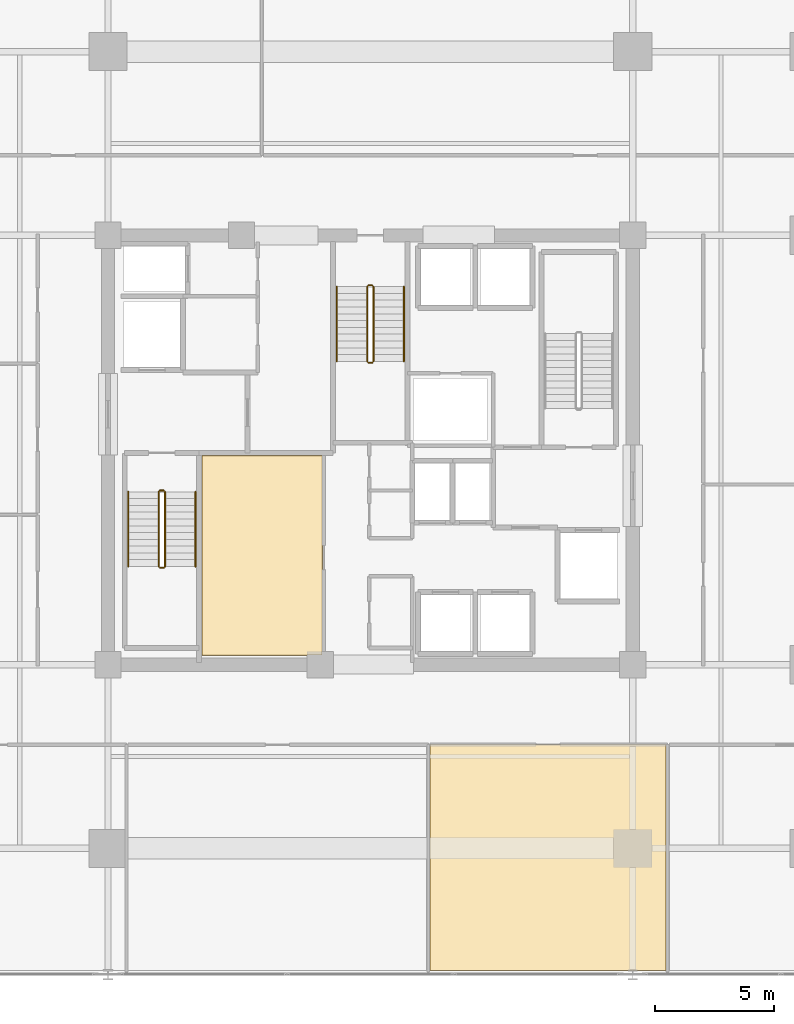
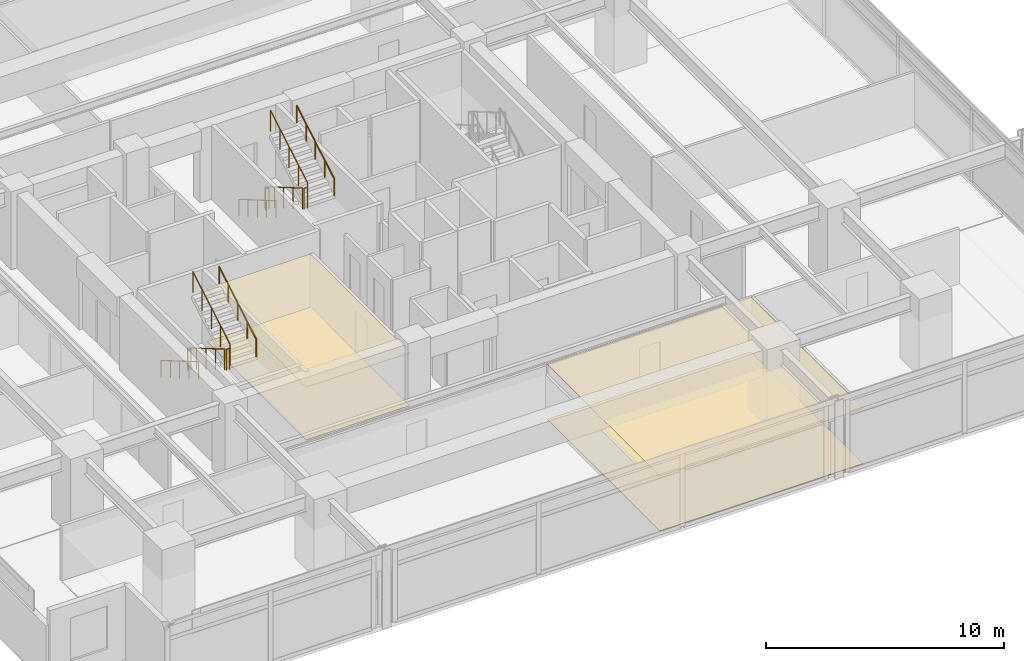
# One storey, part 18 of 20: 12 railings, 4 coverings.
"""IFC4 building model written with IfcOpenShell, lengths in metres."""

from ifc_helpers import new_model, si_unit, direction, frame, origin, origin_2d, place, context, subcontext, project, spatial, polyline, circle, outline, extrude, material, layer, layer_set, type_object, element, save


model = new_model("IFC4")

# Units and contexts
model_context = context("Model", 3, precision=1e-05, world=origin(), true_north=direction((0.0, 1.0)))
body_context = subcontext(model_context, "Body", "Model", "MODEL_VIEW")
ifc_project = project(units=[si_unit("LENGTHUNIT", "METRE"), si_unit("AREAUNIT", "SQUARE_METRE"), si_unit("VOLUMEUNIT", "CUBIC_METRE"), si_unit("PLANEANGLEUNIT", "RADIAN"), si_unit("MASSUNIT", "GRAM", prefix="KILO")], contexts=[model_context])

# Site, building, storey
site_placement = place(None, origin())
site = spatial("IfcSite", under=ifc_project, at=site_placement, CompositionType="ELEMENT")
building_placement = place(site_placement, origin())
building = spatial("IfcBuilding", under=site, at=building_placement, Name="Kovane Verandah Tower", CompositionType="ELEMENT")
storey_placement = place(building_placement, frame((0.0, 0.0, 164.39990234375)))
storey = spatial("IfcBuildingStorey", under=building, at=storey_placement, Name="L38", CompositionType="ELEMENT", Elevation=164.39990234375)

# Coverings
ifc_material_1 = material(Name="Perforated Acoustic Mineral-Fibre Ceiling Tile", Category="gypsum")
ifc_layer_1 = layer(ifc_material_1, 0.02490234375)
ifc_layer_set_1 = layer_set([ifc_layer_1], Name="Perforated Acoustic Mineral-Fibre Ceiling Tile")
covering_type_1 = type_object("IfcCoveringType", Name="CV-CEIL-25", PredefinedType="CEILING", material=ifc_layer_set_1)
covering_1_placement = place(storey_placement, frame((0.0, 0.0, 2.72998046875)))
element("IfcCovering", 1, at=covering_1_placement, inside=storey, type_object=covering_type_1, Name="L38 Tenant Wellness and Archive Suite Acoustic Ceiling", PredefinedType="CEILING", context=body_context, shape_type="SweptSolid", body=[
    extrude(outline(polyline([(32.93505859375, 18.885009765625), (37.9951171875, 18.885009765625), (37.9951171875, 27.264892578125), (32.93505859375, 27.264892578125), (32.93505859375, 18.885009765625)])), origin(), (0.0, 0.0, 1.0), 0.025146484375),
])
covering_2_placement = place(storey_placement, frame((0.0, 0.0, 2.8251953125)))
element("IfcCovering", 2, at=covering_2_placement, inside=storey, type_object=covering_type_1, Name="L38 Open Plan Office S3 Acoustic Ceiling", PredefinedType="CEILING", context=body_context, shape_type="SweptSolid", body=[
    extrude(outline(polyline([(42.497802734375, 5.677001953125), (52.392822265625, 5.677001953125), (52.392822265625, 15.14990234375), (42.497802734375, 15.14990234375), (42.497802734375, 5.677001953125)])), origin(), (0.0, 0.0, 1.0), 0.02490234375),
])
ifc_material_2 = material(Name="Polished Terrazzo and Raised-Access Carpet Tile Finish", Category="concrete")
ifc_layer_2 = layer(ifc_material_2, 0.030029296875)
ifc_layer_set_2 = layer_set([ifc_layer_2], Name="Polished Terrazzo and Raised-Access Carpet Tile Finish")
covering_type_2 = type_object("IfcCoveringType", Name="CV-FLOR-30", PredefinedType="FLOORING", material=ifc_layer_set_2)
covering_3_placement = place(storey_placement, origin())
element("IfcCovering", 3, at=covering_3_placement, inside=storey, type_object=covering_type_2, Name="L38 Tenant Wellness and Archive Suite Floor Finish", PredefinedType="FLOORING", context=body_context, shape_type="SweptSolid", body=[
    extrude(outline(polyline([(32.949951171875, 18.89990234375), (37.97998046875, 18.89990234375), (37.97998046875, 27.25), (32.949951171875, 27.25), (32.949951171875, 18.89990234375)])), origin(), (0.0, 0.0, 1.0), 0.030029296875),
])
covering_4_placement = place(storey_placement, origin())
element("IfcCovering", 4, at=covering_4_placement, inside=storey, type_object=covering_type_2, Name="L38 Open Plan Office S3 Floor Finish", PredefinedType="FLOORING", context=body_context, shape_type="SweptSolid", body=[
    extrude(outline(polyline([(42.497802734375, 5.677001953125), (52.392822265625, 5.677001953125), (52.392822265625, 15.14990234375), (42.497802734375, 15.14990234375), (42.497802734375, 5.677001953125)])), origin(), (0.0, 0.0, 1.0), 0.030029296875),
])

# Railings
ifc_material_3 = material(Name="Brushed Stainless Steel Handrail", Category="steel")
railing_type_1 = type_object("IfcRailingType", Name="RL-HAND-920", PredefinedType="HANDRAIL", material=ifc_material_3)
railing_1_placement = place(storey_placement, frame((29.85009765625, 25.75, 0.166748046875)))
element("IfcRailing", 5, at=railing_1_placement, inside=storey, type_object=railing_type_1, Name="L38 ST-01 stair handrail 1", PredefinedType="HANDRAIL", context=body_context, shape_type="SweptSolid", body=[
    extrude(circle(Radius=0.02392578125, at=origin_2d()), frame((0.0, 0.0, 0.8759765625), z_axis=(0.0, -0.863239559939, 0.504794475164), x_axis=(1.0, 0.0, 0.0)), (0.0, 0.0, 1.0), 3.631591796875),
    extrude(circle(Radius=0.02099609375, at=origin_2d()), origin(), (0.0, 0.0, 1.0), 0.851806640625),
    extrude(circle(Radius=0.02099609375, at=origin_2d()), frame((0.0, -0.78369140625, 0.458251953125)), (0.0, 0.0, 1.0), 0.851806640625),
    extrude(circle(Radius=0.02099609375, at=origin_2d()), frame((0.0, -1.5673828125, 0.91650390625)), (0.0, 0.0, 1.0), 0.851806640625),
    extrude(circle(Radius=0.02099609375, at=origin_2d()), frame((0.0, -2.351318359375, 1.375)), (0.0, 0.0, 1.0), 0.851806640625),
    extrude(circle(Radius=0.02099609375, at=origin_2d()), frame((0.0, -3.135009765625, 1.833251953125)), (0.0, 0.0, 1.0), 0.851806640625),
])
railing_2_placement = place(storey_placement, frame((32.669921875, 22.614990234375, 2.166748046875)))
element("IfcRailing", 6, at=railing_2_placement, inside=storey, type_object=railing_type_1, Name="L38 ST-01 stair handrail 2", PredefinedType="HANDRAIL", context=body_context, shape_type="SweptSolid", body=[
    extrude(circle(Radius=0.02392578125, at=origin_2d()), frame((0.0, 0.0, 0.8759765625), z_axis=(0.0, 0.863239559939, 0.504794475164), x_axis=(-1.0, 0.0, 0.0)), (0.0, 0.0, 1.0), 3.631591796875),
    extrude(circle(Radius=0.02099609375, at=origin_2d()), origin(), (0.0, 0.0, 1.0), 0.851806640625),
    extrude(circle(Radius=0.02099609375, at=origin_2d()), frame((0.0, 0.78369140625, 0.458251953125)), (0.0, 0.0, 1.0), 0.851806640625),
    extrude(circle(Radius=0.02099609375, at=origin_2d()), frame((0.0, 1.5673828125, 0.91650390625)), (0.0, 0.0, 1.0), 0.851806640625),
    extrude(circle(Radius=0.02099609375, at=origin_2d()), frame((0.0, 2.351318359375, 1.375)), (0.0, 0.0, 1.0), 0.851806640625),
    extrude(circle(Radius=0.02099609375, at=origin_2d()), frame((0.0, 3.135009765625, 1.833251953125)), (0.0, 0.0, 1.0), 0.851806640625),
])
railing_3_placement = place(storey_placement, frame((38.590087890625, 34.35009765625, 0.166748046875)))
element("IfcRailing", 7, at=railing_3_placement, inside=storey, type_object=railing_type_1, Name="L38 ST-03 stair handrail 1", PredefinedType="HANDRAIL", context=body_context, shape_type="SweptSolid", body=[
    extrude(circle(Radius=0.02392578125, at=origin_2d()), frame((0.0, 0.0, 0.8759765625), z_axis=(0.0, -0.863239559939, 0.504794475164), x_axis=(1.0, 0.0, 0.0)), (0.0, 0.0, 1.0), 3.631591796875),
    extrude(circle(Radius=0.02099609375, at=origin_2d()), origin(), (0.0, 0.0, 1.0), 0.851806640625),
    extrude(circle(Radius=0.02099609375, at=origin_2d()), frame((0.0, -0.78369140625, 0.458251953125)), (0.0, 0.0, 1.0), 0.851806640625),
    extrude(circle(Radius=0.02099609375, at=origin_2d()), frame((0.0, -1.5673828125, 0.91650390625)), (0.0, 0.0, 1.0), 0.851806640625),
    extrude(circle(Radius=0.02099609375, at=origin_2d()), frame((0.0, -2.351318359375, 1.375)), (0.0, 0.0, 1.0), 0.851806640625),
    extrude(circle(Radius=0.02099609375, at=origin_2d()), frame((0.0, -3.135009765625, 1.833251953125)), (0.0, 0.0, 1.0), 0.851806640625),
])
railing_4_placement = place(storey_placement, frame((41.409912109375, 31.215087890625, 2.166748046875)))
element("IfcRailing", 8, at=railing_4_placement, inside=storey, type_object=railing_type_1, Name="L38 ST-03 stair handrail 2", PredefinedType="HANDRAIL", context=body_context, shape_type="SweptSolid", body=[
    extrude(circle(Radius=0.02392578125, at=origin_2d()), frame((0.0, 0.0, 0.8759765625), z_axis=(0.0, 0.863239559939, 0.504794475164), x_axis=(-1.0, 0.0, 0.0)), (0.0, 0.0, 1.0), 3.631591796875),
    extrude(circle(Radius=0.02099609375, at=origin_2d()), origin(), (0.0, 0.0, 1.0), 0.851806640625),
    extrude(circle(Radius=0.02099609375, at=origin_2d()), frame((0.0, 0.78369140625, 0.458251953125)), (0.0, 0.0, 1.0), 0.851806640625),
    extrude(circle(Radius=0.02099609375, at=origin_2d()), frame((0.0, 1.5673828125, 0.91650390625)), (0.0, 0.0, 1.0), 0.851806640625),
    extrude(circle(Radius=0.02099609375, at=origin_2d()), frame((0.0, 2.351318359375, 1.375)), (0.0, 0.0, 1.0), 0.851806640625),
    extrude(circle(Radius=0.02099609375, at=origin_2d()), frame((0.0, 3.135009765625, 1.833251953125)), (0.0, 0.0, 1.0), 0.851806640625),
])
ifc_material_4 = material(Name="Painted Steel Stairwell Guardrail", Category="steel")
railing_type_2 = type_object("IfcRailingType", Name="RL-STGUARD-1120", PredefinedType="GUARDRAIL", material=ifc_material_4)
railing_5_placement = place(storey_placement, frame((31.1298828125, 25.75, 0.166748046875)))
element("IfcRailing", 9, at=railing_5_placement, inside=storey, type_object=railing_type_2, Name="L38 ST-01 stair guard 1", PredefinedType="GUARDRAIL", context=body_context, shape_type="SweptSolid", body=[
    extrude(circle(Radius=0.02392578125, at=origin_2d()), frame((0.0, 0.0, 1.076171875), z_axis=(0.0, -0.863239559939, 0.504794475164), x_axis=(1.0, 0.0, 0.0)), (0.0, 0.0, 1.0), 3.631591796875),
    extrude(circle(Radius=0.02099609375, at=origin_2d()), origin(), (0.0, 0.0, 1.0), 1.052001953125),
    extrude(circle(Radius=0.02099609375, at=origin_2d()), frame((0.0, -0.78369140625, 0.458251953125)), (0.0, 0.0, 1.0), 1.052001953125),
    extrude(circle(Radius=0.02099609375, at=origin_2d()), frame((0.0, -1.5673828125, 0.91650390625)), (0.0, 0.0, 1.0), 1.052001953125),
    extrude(circle(Radius=0.02099609375, at=origin_2d()), frame((0.0, -2.351318359375, 1.375)), (0.0, 0.0, 1.0), 1.052001953125),
    extrude(circle(Radius=0.02099609375, at=origin_2d()), frame((0.0, -3.135009765625, 1.833251953125)), (0.0, 0.0, 1.0), 1.052001953125),
])
railing_6_placement = place(storey_placement, frame((31.179931640625, 22.56494140625, 2.0)))
element("IfcRailing", 10, at=railing_6_placement, inside=storey, type_object=railing_type_2, Name="L38 ST-01 stair guard 2", PredefinedType="GUARDRAIL", context=body_context, shape_type="SweptSolid", body=[
    extrude(circle(Radius=0.02392578125, at=origin_2d()), frame((0.0, 0.0, 1.076171875), z_axis=(1.0, 0.0, 0.0), x_axis=(0.0, 1.0, 0.0)), (0.0, 0.0, 1.0), 0.16015625),
    extrude(circle(Radius=0.02099609375, at=origin_2d()), origin(), (0.0, 0.0, 1.0), 1.052001953125),
    extrude(circle(Radius=0.02099609375, at=origin_2d()), frame((0.16015625, 0.0, 0.0)), (0.0, 0.0, 1.0), 1.052001953125),
])
railing_7_placement = place(storey_placement, frame((31.389892578125, 22.614990234375, 2.166748046875)))
element("IfcRailing", 11, at=railing_7_placement, inside=storey, type_object=railing_type_2, Name="L38 ST-01 stair guard 3", PredefinedType="GUARDRAIL", context=body_context, shape_type="SweptSolid", body=[
    extrude(circle(Radius=0.02392578125, at=origin_2d()), frame((0.0, 0.0, 1.076171875), z_axis=(0.0, 0.863239559939, 0.504794475164), x_axis=(-1.0, 0.0, 0.0)), (0.0, 0.0, 1.0), 3.631591796875),
    extrude(circle(Radius=0.02099609375, at=origin_2d()), origin(), (0.0, 0.0, 1.0), 1.052001953125),
    extrude(circle(Radius=0.02099609375, at=origin_2d()), frame((0.0, 0.78369140625, 0.458251953125)), (0.0, 0.0, 1.0), 1.052001953125),
    extrude(circle(Radius=0.02099609375, at=origin_2d()), frame((0.0, 1.5673828125, 0.91650390625)), (0.0, 0.0, 1.0), 1.052001953125),
    extrude(circle(Radius=0.02099609375, at=origin_2d()), frame((0.0, 2.351318359375, 1.375)), (0.0, 0.0, 1.0), 1.052001953125),
    extrude(circle(Radius=0.02099609375, at=origin_2d()), frame((0.0, 3.135009765625, 1.833251953125)), (0.0, 0.0, 1.0), 1.052001953125),
])
railing_8_placement = place(storey_placement, frame((31.179931640625, 25.800048828125, 0.0)))
element("IfcRailing", 12, at=railing_8_placement, inside=storey, type_object=railing_type_2, Name="L38 ST-01 stair guard 4", PredefinedType="GUARDRAIL", context=body_context, shape_type="SweptSolid", body=[
    extrude(circle(Radius=0.02392578125, at=origin_2d()), frame((0.0, 0.0, 1.076171875), z_axis=(1.0, 0.0, 0.0), x_axis=(0.0, 1.0, 0.0)), (0.0, 0.0, 1.0), 0.16015625),
    extrude(circle(Radius=0.02099609375, at=origin_2d()), origin(), (0.0, 0.0, 1.0), 1.052001953125),
    extrude(circle(Radius=0.02099609375, at=origin_2d()), frame((0.16015625, 0.0, 0.0)), (0.0, 0.0, 1.0), 1.052001953125),
])
railing_9_placement = place(storey_placement, frame((39.8701171875, 34.35009765625, 0.166748046875)))
element("IfcRailing", 13, at=railing_9_placement, inside=storey, type_object=railing_type_2, Name="L38 ST-03 stair guard 1", PredefinedType="GUARDRAIL", context=body_context, shape_type="SweptSolid", body=[
    extrude(circle(Radius=0.02392578125, at=origin_2d()), frame((0.0, 0.0, 1.076171875), z_axis=(0.0, -0.863239559939, 0.504794475164), x_axis=(1.0, 0.0, 0.0)), (0.0, 0.0, 1.0), 3.631591796875),
    extrude(circle(Radius=0.02099609375, at=origin_2d()), origin(), (0.0, 0.0, 1.0), 1.052001953125),
    extrude(circle(Radius=0.02099609375, at=origin_2d()), frame((0.0, -0.78369140625, 0.458251953125)), (0.0, 0.0, 1.0), 1.052001953125),
    extrude(circle(Radius=0.02099609375, at=origin_2d()), frame((0.0, -1.5673828125, 0.91650390625)), (0.0, 0.0, 1.0), 1.052001953125),
    extrude(circle(Radius=0.02099609375, at=origin_2d()), frame((0.0, -2.351318359375, 1.375)), (0.0, 0.0, 1.0), 1.052001953125),
    extrude(circle(Radius=0.02099609375, at=origin_2d()), frame((0.0, -3.135009765625, 1.833251953125)), (0.0, 0.0, 1.0), 1.052001953125),
])
railing_10_placement = place(storey_placement, frame((39.919921875, 31.1650390625, 2.0)))
element("IfcRailing", 14, at=railing_10_placement, inside=storey, type_object=railing_type_2, Name="L38 ST-03 stair guard 2", PredefinedType="GUARDRAIL", context=body_context, shape_type="SweptSolid", body=[
    extrude(circle(Radius=0.02392578125, at=origin_2d()), frame((0.0, 0.0, 1.076171875), z_axis=(1.0, 0.0, 0.0), x_axis=(0.0, 1.0, 0.0)), (0.0, 0.0, 1.0), 0.16015625),
    extrude(circle(Radius=0.02099609375, at=origin_2d()), origin(), (0.0, 0.0, 1.0), 1.052001953125),
    extrude(circle(Radius=0.02099609375, at=origin_2d()), frame((0.16015625, 0.0, 0.0)), (0.0, 0.0, 1.0), 1.052001953125),
])
railing_11_placement = place(storey_placement, frame((40.1298828125, 31.215087890625, 2.166748046875)))
element("IfcRailing", 15, at=railing_11_placement, inside=storey, type_object=railing_type_2, Name="L38 ST-03 stair guard 3", PredefinedType="GUARDRAIL", context=body_context, shape_type="SweptSolid", body=[
    extrude(circle(Radius=0.02392578125, at=origin_2d()), frame((0.0, 0.0, 1.076171875), z_axis=(0.0, 0.863239559939, 0.504794475164), x_axis=(-1.0, 0.0, 0.0)), (0.0, 0.0, 1.0), 3.631591796875),
    extrude(circle(Radius=0.02099609375, at=origin_2d()), origin(), (0.0, 0.0, 1.0), 1.052001953125),
    extrude(circle(Radius=0.02099609375, at=origin_2d()), frame((0.0, 0.78369140625, 0.458251953125)), (0.0, 0.0, 1.0), 1.052001953125),
    extrude(circle(Radius=0.02099609375, at=origin_2d()), frame((0.0, 1.5673828125, 0.91650390625)), (0.0, 0.0, 1.0), 1.052001953125),
    extrude(circle(Radius=0.02099609375, at=origin_2d()), frame((0.0, 2.351318359375, 1.375)), (0.0, 0.0, 1.0), 1.052001953125),
    extrude(circle(Radius=0.02099609375, at=origin_2d()), frame((0.0, 3.135009765625, 1.833251953125)), (0.0, 0.0, 1.0), 1.052001953125),
])
railing_12_placement = place(storey_placement, frame((39.919921875, 34.39990234375, 0.0)))
element("IfcRailing", 16, at=railing_12_placement, inside=storey, type_object=railing_type_2, Name="L38 ST-03 stair guard 4", PredefinedType="GUARDRAIL", context=body_context, shape_type="SweptSolid", body=[
    extrude(circle(Radius=0.02392578125, at=origin_2d()), frame((0.0, 0.0, 1.076171875), z_axis=(1.0, 0.0, 0.0), x_axis=(0.0, 1.0, 0.0)), (0.0, 0.0, 1.0), 0.16015625),
    extrude(circle(Radius=0.02099609375, at=origin_2d()), origin(), (0.0, 0.0, 1.0), 1.052001953125),
    extrude(circle(Radius=0.02099609375, at=origin_2d()), frame((0.16015625, 0.0, 0.0)), (0.0, 0.0, 1.0), 1.052001953125),
])

save(model, "model.ifc")
